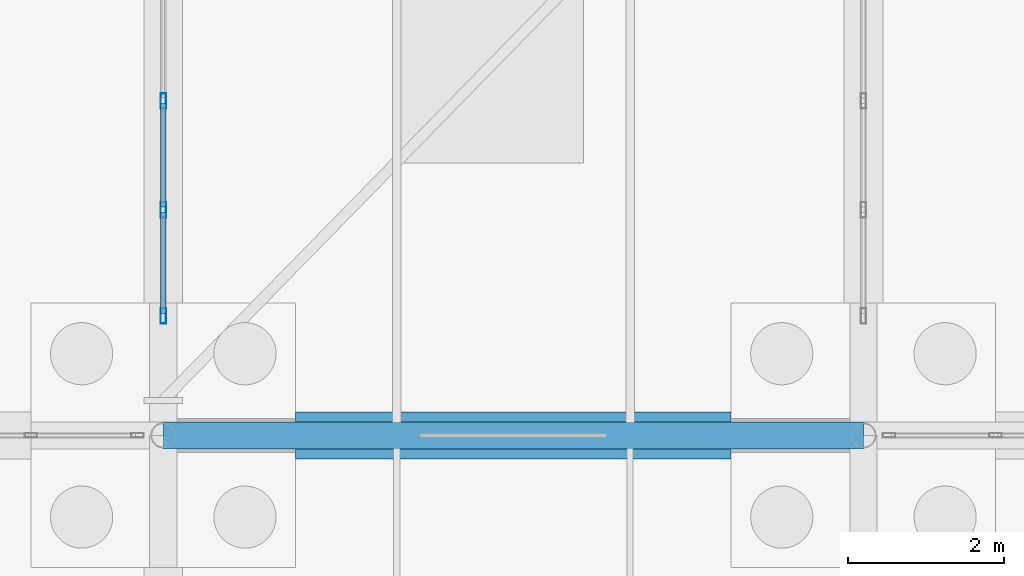
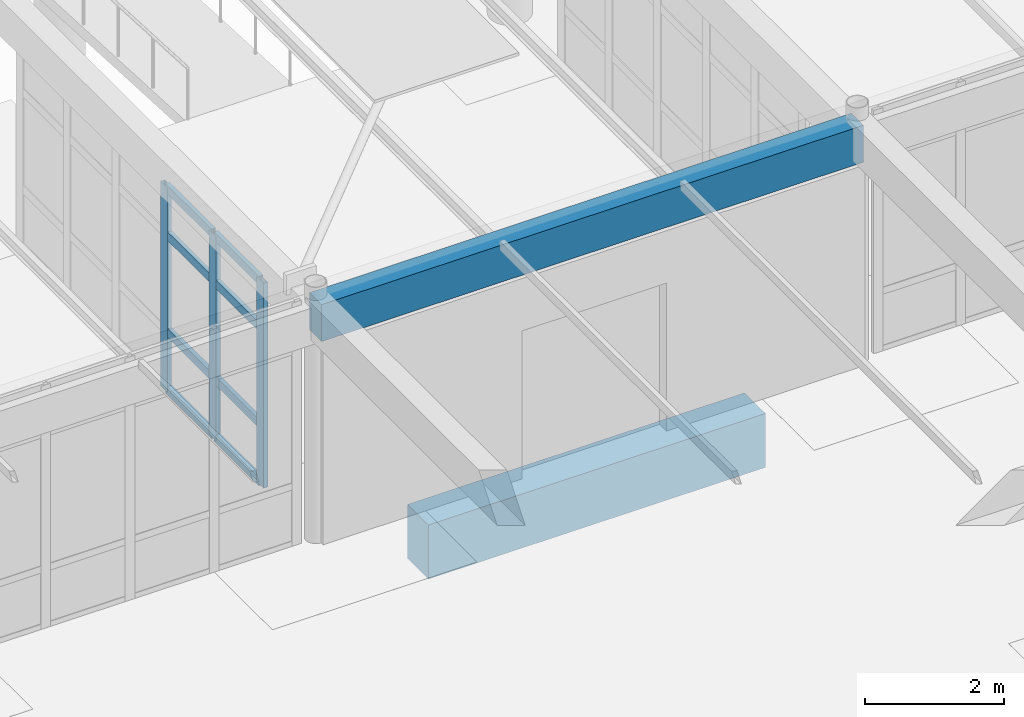
# One storey, part 130 of 186: 11 members, 2 beams, 1 element without a shape of its own.
"""IFC4 building model written with IfcOpenShell, lengths in metres."""

from ifc_helpers import new_model, si_unit, direction, frame, origin, origin_2d, place, context, subcontext, project, spatial, rectangle, hollow_rectangle, extrude, material, layer, layer_set, material_profile, profile_set, type_object, element, aggregate, save


model = new_model("IFC4")

# Units and contexts
model_context = context("Model", 3, precision=1e-05, world=origin(), true_north=direction((0.0, 1.0)))
body_context = subcontext(model_context, "Body", "Model", "MODEL_VIEW")
ifc_project = project(units=[si_unit("LENGTHUNIT", "METRE"), si_unit("AREAUNIT", "SQUARE_METRE"), si_unit("VOLUMEUNIT", "CUBIC_METRE"), si_unit("PLANEANGLEUNIT", "RADIAN"), si_unit("MASSUNIT", "GRAM", prefix="KILO")], contexts=[model_context])

# Site, building, storey
site_placement = place(None, origin())
site = spatial("IfcSite", under=ifc_project, at=site_placement, CompositionType="ELEMENT")
building_placement = place(site_placement, origin())
building = spatial("IfcBuilding", under=site, at=building_placement, Name="Ornek Quay Market", CompositionType="ELEMENT")
storey_placement = place(building_placement, origin())
storey = spatial("IfcBuildingStorey", under=building, at=storey_placement, Name="L00", CompositionType="ELEMENT", Elevation=0.0)

# Beams
ifc_material_1 = material(Name="Concrete C35/45", Category="concrete")
ifc_material_profile_1 = material_profile(ifc_material_1, rectangle(XDim=0.35009765625, YDim=0.64990234375, at=origin_2d()), Name="RC 350x650", Category="concrete")
ifc_profile_set_1 = profile_set([ifc_material_profile_1], Name="Concrete C35/45")
beam_type_1 = type_object("IfcBeamType", Name="BM-CONC-350x650", PredefinedType="BEAM", material=ifc_profile_set_1)
beam_1_placement = place(storey_placement, frame((135.0, 110.0, 3.864990234375), z_axis=(1.0, 0.0, 0.0), x_axis=(0.0, 1.0, 0.0)))
element("IfcBeam", 1, at=beam_1_placement, inside=storey, type_object=beam_type_1, Name="Primary beam B-CN1-034", PredefinedType="BEAM", context=body_context, shape_type="SweptSolid", body=[
    extrude(rectangle(XDim=0.35009765625, YDim=0.64990234375, at=origin_2d()), origin(), (0.0, 0.0, 1.0), 9.0),
])
ifc_material_profile_2 = material_profile(ifc_material_1, rectangle(XDim=0.60009765625, YDim=0.949951171875, at=origin_2d()), Name="RC 600x950", Category="concrete")
ifc_profile_set_2 = profile_set([ifc_material_profile_2], Name="Concrete C35/45")
beam_type_2 = type_object("IfcBeamType", Name="BM-GB-600x950", PredefinedType="BEAM", material=ifc_profile_set_2)
beam_2_placement = place(storey_placement, frame((136.699951171875, 110.0, -0.675048828125), z_axis=(1.0, 0.0, 0.0), x_axis=(0.0, 1.0, 0.0)))
element("IfcBeam", 2, at=beam_2_placement, inside=storey, type_object=beam_type_2, Name="Ground tie beam GB-351", PredefinedType="BEAM", context=body_context, shape_type="SweptSolid", body=[
    extrude(rectangle(XDim=0.60009765625, YDim=0.949951171875, at=origin_2d()), origin(), (0.0, 0.0, 1.0), 5.60009765625),
])

# Curtain wall, members
ifc_material_2 = material(Name="Anodised bronze aluminium and triple low-e glass", Category="aluminium")
ifc_layer = layer(ifc_material_2, 0.219970703125, Name="Anodised bronze aluminium and triple low-e glass", Category="aluminium")
ifc_layer_set = layer_set([ifc_layer], Name="Anodised bronze aluminium and triple low-e glass")
curtain_wall_type = type_object("IfcCurtainWallType", Name="CW-PORCH-MOD1500", PredefinedType="USERDEFINED", material=ifc_layer_set)
curtain_wall_placement = place(storey_placement, origin())
curtain_wall = element("IfcCurtainWall", 3, at=curtain_wall_placement, inside=storey, type_object=curtain_wall_type, Name="Curtain wall CW-155", ObjectType="CURTAIN WALL", PredefinedType="USERDEFINED")
ifc_material_3 = material(Name="Anodised aluminium 6063-T6", Category="aluminium")
ifc_material_profile_3 = material_profile(ifc_material_3, hollow_rectangle(XDim=0.070068359375, YDim=0.199951171875, WallThickness=0.0048828125, at=origin_2d()), Name="CW-MUL-70x200", Category="aluminium")
ifc_profile_set_3 = profile_set([ifc_material_profile_3], Name="Anodised aluminium 6063-T6")
member_type_1 = type_object("IfcMemberType", Name="CW-MUL-70x200", PredefinedType="MULLION", material=ifc_profile_set_3)
member_1_placement = place(storey_placement, frame((135.0, 111.534912109375, 0.0), z_axis=(0.0, 0.0, 1.0), x_axis=(-1.0, 0.0, 0.0)))
member_1 = element("IfcMember", 4, at=member_1_placement, type_object=member_type_1, Name="CW-155 mullion 1", PredefinedType="MULLION", context=body_context, shape_type="SweptSolid", body=[
    extrude(hollow_rectangle(XDim=0.070068359375, YDim=0.199951171875, WallThickness=0.0048828125, at=origin_2d()), origin(), (0.0, 0.0, 1.0), 3.60009765625),
])
member_2_placement = place(storey_placement, frame((135.0, 112.89990234375, 0.0), z_axis=(0.0, 0.0, 1.0), x_axis=(-1.0, 0.0, 0.0)))
member_2 = element("IfcMember", 5, at=member_2_placement, type_object=member_type_1, Name="CW-155 mullion 2", PredefinedType="MULLION", context=body_context, shape_type="SweptSolid", body=[
    extrude(hollow_rectangle(XDim=0.070068359375, YDim=0.199951171875, WallThickness=0.0048828125, at=origin_2d()), origin(), (0.0, 0.0, 1.0), 3.60009765625),
])
member_3_placement = place(storey_placement, frame((135.0, 114.300048828125, 0.0), z_axis=(0.0, 0.0, 1.0), x_axis=(-1.0, 0.0, 0.0)))
member_3 = element("IfcMember", 6, at=member_3_placement, type_object=member_type_1, Name="CW-155 mullion 3", PredefinedType="MULLION", context=body_context, shape_type="SweptSolid", body=[
    extrude(hollow_rectangle(XDim=0.070068359375, YDim=0.199951171875, WallThickness=0.0048828125, at=origin_2d()), origin(), (0.0, 0.0, 1.0), 3.60009765625),
])
ifc_material_profile_4 = material_profile(ifc_material_3, hollow_rectangle(XDim=0.070068359375, YDim=0.14990234375, WallThickness=0.0048828125, at=origin_2d()), Name="CW-TRN-70x150", Category="aluminium")
ifc_profile_set_4 = profile_set([ifc_material_profile_4], Name="Anodised aluminium 6063-T6")
member_type_2 = type_object("IfcMemberType", Name="CW-TRN-70x150", PredefinedType="USERDEFINED", material=ifc_profile_set_4)
member_4_placement = place(storey_placement, frame((135.0, 111.570068359375, 0.034912109375), z_axis=(0.0, 1.0, 0.0), x_axis=(-1.0, 0.0, 0.0)))
member_4 = element("IfcMember", 7, at=member_4_placement, type_object=member_type_2, Name="CW-155 transom 1.1", ObjectType="TRANSOM", PredefinedType="USERDEFINED", context=body_context, shape_type="SweptSolid", body=[
    extrude(hollow_rectangle(XDim=0.070068359375, YDim=0.14990234375, WallThickness=0.0048828125, at=origin_2d()), origin(), (0.0, 0.0, 1.0), 1.294921875),
])
member_5_placement = place(storey_placement, frame((135.0, 111.570068359375, 1.050048828125), z_axis=(0.0, 1.0, 0.0), x_axis=(-1.0, 0.0, 0.0)))
member_5 = element("IfcMember", 8, at=member_5_placement, type_object=member_type_2, Name="CW-155 transom 1.2", ObjectType="TRANSOM", PredefinedType="USERDEFINED", context=body_context, shape_type="SweptSolid", body=[
    extrude(hollow_rectangle(XDim=0.070068359375, YDim=0.14990234375, WallThickness=0.0048828125, at=origin_2d()), origin(), (0.0, 0.0, 1.0), 1.294921875),
])
member_6_placement = place(storey_placement, frame((135.0, 111.570068359375, 2.75), z_axis=(0.0, 1.0, 0.0), x_axis=(-1.0, 0.0, 0.0)))
member_6 = element("IfcMember", 9, at=member_6_placement, type_object=member_type_2, Name="CW-155 transom 1.3", ObjectType="TRANSOM", PredefinedType="USERDEFINED", context=body_context, shape_type="SweptSolid", body=[
    extrude(hollow_rectangle(XDim=0.070068359375, YDim=0.14990234375, WallThickness=0.0048828125, at=origin_2d()), origin(), (0.0, 0.0, 1.0), 1.294921875),
])
member_7_placement = place(storey_placement, frame((135.0, 111.570068359375, 3.56494140625), z_axis=(0.0, 1.0, 0.0), x_axis=(-1.0, 0.0, 0.0)))
member_7 = element("IfcMember", 10, at=member_7_placement, type_object=member_type_2, Name="CW-155 transom 1.4", ObjectType="TRANSOM", PredefinedType="USERDEFINED", context=body_context, shape_type="SweptSolid", body=[
    extrude(hollow_rectangle(XDim=0.070068359375, YDim=0.14990234375, WallThickness=0.0048828125, at=origin_2d()), origin(), (0.0, 0.0, 1.0), 1.294921875),
])
member_8_placement = place(storey_placement, frame((135.0, 112.93505859375, 0.034912109375), z_axis=(0.0, 1.0, 0.0), x_axis=(-1.0, 0.0, 0.0)))
member_8 = element("IfcMember", 11, at=member_8_placement, type_object=member_type_2, Name="CW-155 transom 2.1", ObjectType="TRANSOM", PredefinedType="USERDEFINED", context=body_context, shape_type="SweptSolid", body=[
    extrude(hollow_rectangle(XDim=0.070068359375, YDim=0.14990234375, WallThickness=0.0048828125, at=origin_2d()), origin(), (0.0, 0.0, 1.0), 1.329833984375),
])
member_9_placement = place(storey_placement, frame((135.0, 112.93505859375, 1.050048828125), z_axis=(0.0, 1.0, 0.0), x_axis=(-1.0, 0.0, 0.0)))
member_9 = element("IfcMember", 12, at=member_9_placement, type_object=member_type_2, Name="CW-155 transom 2.2", ObjectType="TRANSOM", PredefinedType="USERDEFINED", context=body_context, shape_type="SweptSolid", body=[
    extrude(hollow_rectangle(XDim=0.070068359375, YDim=0.14990234375, WallThickness=0.0048828125, at=origin_2d()), origin(), (0.0, 0.0, 1.0), 1.329833984375),
])
member_10_placement = place(storey_placement, frame((135.0, 112.93505859375, 2.75), z_axis=(0.0, 1.0, 0.0), x_axis=(-1.0, 0.0, 0.0)))
member_10 = element("IfcMember", 13, at=member_10_placement, type_object=member_type_2, Name="CW-155 transom 2.3", ObjectType="TRANSOM", PredefinedType="USERDEFINED", context=body_context, shape_type="SweptSolid", body=[
    extrude(hollow_rectangle(XDim=0.070068359375, YDim=0.14990234375, WallThickness=0.0048828125, at=origin_2d()), origin(), (0.0, 0.0, 1.0), 1.329833984375),
])
member_11_placement = place(storey_placement, frame((135.0, 112.93505859375, 3.56494140625), z_axis=(0.0, 1.0, 0.0), x_axis=(-1.0, 0.0, 0.0)))
member_11 = element("IfcMember", 14, at=member_11_placement, type_object=member_type_2, Name="CW-155 transom 2.4", ObjectType="TRANSOM", PredefinedType="USERDEFINED", context=body_context, shape_type="SweptSolid", body=[
    extrude(hollow_rectangle(XDim=0.070068359375, YDim=0.14990234375, WallThickness=0.0048828125, at=origin_2d()), origin(), (0.0, 0.0, 1.0), 1.329833984375),
])
aggregate(curtain_wall, [member_1, member_2, member_3, member_4, member_5, member_6, member_7, member_8, member_9, member_10, member_11])

save(model, "model.ifc")
